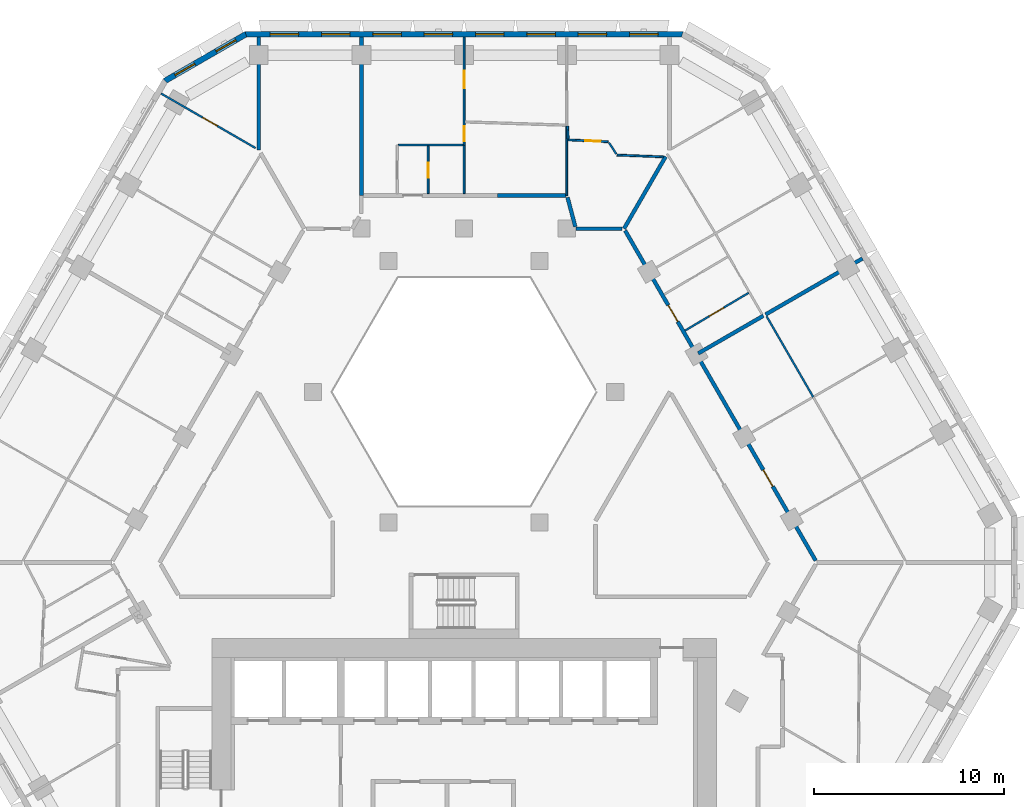
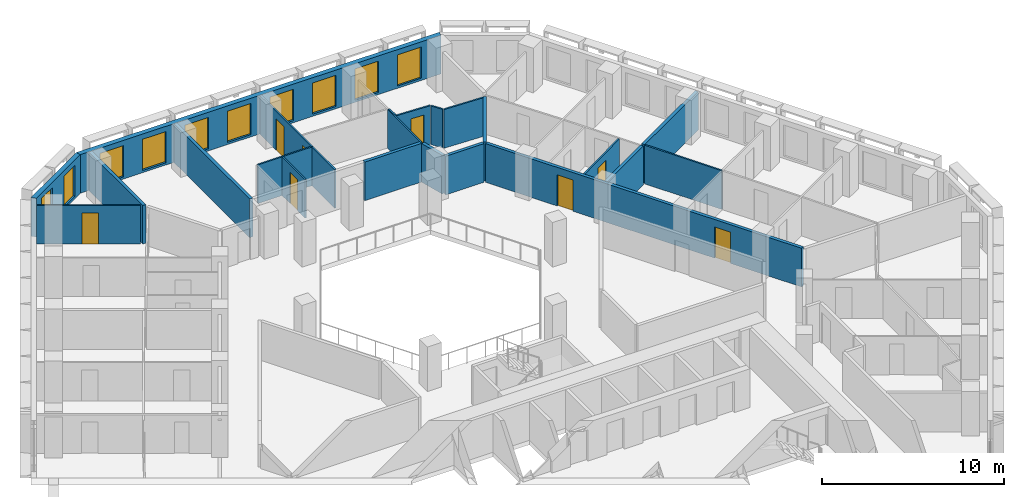
# One storey, part 9 of 18: 23 walls, 10 windows, 8 doors, 18 openings.
"""IFC4 building model written with IfcOpenShell, lengths in metres."""

from ifc_helpers import new_model, si_unit, direction, frame, frame_2d, origin, place, context, subcontext, project, spatial, polyline, rectangle, outline, extrude, material, layer, layer_set, type_object, element, fill, save


model = new_model("IFC4")

# Units and contexts
model_context = context("Model", 3, precision=1e-05, world=origin(), true_north=direction((0.0, 1.0)))
body_context = subcontext(model_context, "Body", "Model", "MODEL_VIEW")
ifc_project = project(units=[si_unit("LENGTHUNIT", "METRE"), si_unit("AREAUNIT", "SQUARE_METRE"), si_unit("VOLUMEUNIT", "CUBIC_METRE"), si_unit("PLANEANGLEUNIT", "RADIAN"), si_unit("MASSUNIT", "GRAM", prefix="KILO")], contexts=[model_context])

# Site, building, storey
site_placement = place(None, origin())
site = spatial("IfcSite", under=ifc_project, at=site_placement, CompositionType="ELEMENT")
building_placement = place(site_placement, origin())
building = spatial("IfcBuilding", under=site, at=building_placement, Name="Beryl Residences", CompositionType="ELEMENT")
storey_placement = place(building_placement, frame((0.0, 0.0, 105.0)))
storey = spatial("IfcBuildingStorey", under=building, at=storey_placement, Name="L32", CompositionType="ELEMENT", Elevation=105.0)

# Wall, openings, windows
ifc_material_1 = material(Name="Composite metal panel with mineral wool insulation")
ifc_layer_1 = layer(ifc_material_1, 0.300048828125)
ifc_layer_set_1 = layer_set([ifc_layer_1], Name="ES1 pale metal composite panel wall 300 mm")
wall_type_1 = type_object("IfcWallType", Name="ES1 pale metal composite panel wall 300 mm", PredefinedType="SOLIDWALL", material=ifc_layer_set_1)
wall_1_placement = place(storey_placement, frame((11.547119140625, 26.85009765625, 0.0), z_axis=(0.0, 0.0, 1.0), x_axis=(-1.0, 0.0, 0.0)))
wall_1 = element("IfcWall", 1, at=wall_1_placement, inside=storey, type_object=wall_type_1, Name="ES1 external wall L32 N", PredefinedType="SOLIDWALL", context=body_context, shape_type="SweptSolid", body=[
    extrude(outline(polyline([(0.0, -0.14990234375), (23.09423828125, -0.14990234375), (23.013916015625, 0.14990234375), (0.080322265625, 0.14990234375), (0.0, -0.14990234375)])), origin(), (0.0, 0.0, 1.0), 2.60009765625),
])
opening_1_placement = place(wall_1_placement, frame((1.324951171875, 0.0, 0.14990234375)))
opening_1 = element("IfcOpeningElement", 2, at=opening_1_placement, cuts=wall_1, Name="Opening W1", PredefinedType="OPENING", context=body_context, shape_type="SweptSolid", body=[
    extrude(rectangle(XDim=1.5, YDim=2.10009765625, at=frame_2d((0.75, 1.050048828125))), frame((0.0, 0.159912109375, 0.0), z_axis=(0.0, -1.0, 0.0), x_axis=(1.0, 0.0, 0.0)), (0.0, 0.0, 1.0), 0.320068359375),
])
opening_2_placement = place(wall_1_placement, frame((4.031982421875, 0.0, 0.14990234375)))
opening_2 = element("IfcOpeningElement", 3, at=opening_2_placement, cuts=wall_1, Name="Opening W1", PredefinedType="OPENING", context=body_context, shape_type="SweptSolid", body=[
    extrude(rectangle(XDim=1.5, YDim=2.10009765625, at=frame_2d((0.75, 1.050048828125))), frame((0.0, 0.159912109375, 0.0), z_axis=(0.0, -1.0, 0.0), x_axis=(1.0, 0.0, 0.0)), (0.0, 0.0, 1.0), 0.320068359375),
])
opening_3_placement = place(wall_1_placement, frame((6.738037109375, 0.0, 0.14990234375)))
opening_3 = element("IfcOpeningElement", 4, at=opening_3_placement, cuts=wall_1, Name="Opening W1", PredefinedType="OPENING", context=body_context, shape_type="SweptSolid", body=[
    extrude(rectangle(XDim=1.5, YDim=2.10009765625, at=frame_2d((0.75, 1.050048828125))), frame((0.0, 0.159912109375, 0.0), z_axis=(0.0, -1.0, 0.0), x_axis=(1.0, 0.0, 0.0)), (0.0, 0.0, 1.0), 0.320068359375),
])
opening_4_placement = place(wall_1_placement, frame((9.445068359375, 0.0, 0.14990234375)))
opening_4 = element("IfcOpeningElement", 5, at=opening_4_placement, cuts=wall_1, Name="Opening W1", PredefinedType="OPENING", context=body_context, shape_type="SweptSolid", body=[
    extrude(rectangle(XDim=1.5, YDim=2.10009765625, at=frame_2d((0.75, 1.050048828125))), frame((0.0, 0.159912109375, 0.0), z_axis=(0.0, -1.0, 0.0), x_axis=(1.0, 0.0, 0.0)), (0.0, 0.0, 1.0), 0.320068359375),
])
opening_5_placement = place(wall_1_placement, frame((12.15087890625, 0.0, 0.14990234375)))
opening_5 = element("IfcOpeningElement", 6, at=opening_5_placement, cuts=wall_1, Name="Opening W1", PredefinedType="OPENING", context=body_context, shape_type="SweptSolid", body=[
    extrude(rectangle(XDim=1.5, YDim=2.10009765625, at=frame_2d((0.75, 1.050048828125))), frame((0.0, 0.159912109375, 0.0), z_axis=(0.0, -1.0, 0.0), x_axis=(1.0, 0.0, 0.0)), (0.0, 0.0, 1.0), 0.320068359375),
])
opening_6_placement = place(wall_1_placement, frame((14.85791015625, 0.0, 0.14990234375)))
opening_6 = element("IfcOpeningElement", 7, at=opening_6_placement, cuts=wall_1, Name="Opening W1", PredefinedType="OPENING", context=body_context, shape_type="SweptSolid", body=[
    extrude(rectangle(XDim=1.5, YDim=2.10009765625, at=frame_2d((0.75, 1.050048828125))), frame((0.0, 0.159912109375, 0.0), z_axis=(0.0, -1.0, 0.0), x_axis=(1.0, 0.0, 0.0)), (0.0, 0.0, 1.0), 0.320068359375),
])
opening_7_placement = place(wall_1_placement, frame((17.56396484375, 0.0, 0.14990234375)))
opening_7 = element("IfcOpeningElement", 8, at=opening_7_placement, cuts=wall_1, Name="Opening W1", PredefinedType="OPENING", context=body_context, shape_type="SweptSolid", body=[
    extrude(rectangle(XDim=1.5, YDim=2.10009765625, at=frame_2d((0.75, 1.050048828125))), frame((0.0, 0.159912109375, 0.0), z_axis=(0.0, -1.0, 0.0), x_axis=(1.0, 0.0, 0.0)), (0.0, 0.0, 1.0), 0.320068359375),
])
opening_8_placement = place(wall_1_placement, frame((20.27099609375, 0.0, 0.14990234375)))
opening_8 = element("IfcOpeningElement", 9, at=opening_8_placement, cuts=wall_1, Name="Opening W1", PredefinedType="OPENING", context=body_context, shape_type="SweptSolid", body=[
    extrude(rectangle(XDim=1.5, YDim=2.10009765625, at=frame_2d((0.75, 1.050048828125))), frame((0.0, 0.159912109375, 0.0), z_axis=(0.0, -1.0, 0.0), x_axis=(1.0, 0.0, 0.0)), (0.0, 0.0, 1.0), 0.320068359375),
])
ifc_material_2 = material(Name="Aluminium and clear glass", Category="aluminium")
window_type_1 = type_object("IfcWindowType", Name="W1 cell window 1500 x 2100 mm", PartitioningType="SINGLE_PANEL", PredefinedType="WINDOW", material=ifc_material_2)
window_1_placement = place(opening_1_placement, origin())
window_1 = element("IfcWindow", 10, at=window_1_placement, inside=storey, type_object=window_type_1, Name="W1 window L32 N 1", OverallHeight=2.10009765625, OverallWidth=1.5, PartitioningType="SINGLE_PANEL", PredefinedType="WINDOW", context=body_context, shape_type="SweptSolid", body=[
    extrude(rectangle(XDim=1.5, YDim=2.10009765625, at=frame_2d((0.75, 1.050048828125))), frame((0.0, 0.030029296875, 0.0), z_axis=(0.0, -1.0, 0.0), x_axis=(1.0, 0.0, 0.0)), (0.0, 0.0, 1.0), 0.06005859375),
])
fill(opening_1, window_1)
window_2_placement = place(opening_2_placement, origin())
window_2 = element("IfcWindow", 11, at=window_2_placement, inside=storey, type_object=window_type_1, Name="W1 window L32 N 2", OverallHeight=2.10009765625, OverallWidth=1.5, PartitioningType="SINGLE_PANEL", PredefinedType="WINDOW", context=body_context, shape_type="SweptSolid", body=[
    extrude(rectangle(XDim=1.5, YDim=2.10009765625, at=frame_2d((0.75, 1.050048828125))), frame((0.0, 0.030029296875, 0.0), z_axis=(0.0, -1.0, 0.0), x_axis=(1.0, 0.0, 0.0)), (0.0, 0.0, 1.0), 0.06005859375),
])
fill(opening_2, window_2)
window_3_placement = place(opening_3_placement, origin())
window_3 = element("IfcWindow", 12, at=window_3_placement, inside=storey, type_object=window_type_1, Name="W1 window L32 N 3", OverallHeight=2.10009765625, OverallWidth=1.5, PartitioningType="SINGLE_PANEL", PredefinedType="WINDOW", context=body_context, shape_type="SweptSolid", body=[
    extrude(rectangle(XDim=1.5, YDim=2.10009765625, at=frame_2d((0.75, 1.050048828125))), frame((0.0, 0.030029296875, 0.0), z_axis=(0.0, -1.0, 0.0), x_axis=(1.0, 0.0, 0.0)), (0.0, 0.0, 1.0), 0.06005859375),
])
fill(opening_3, window_3)
window_4_placement = place(opening_4_placement, origin())
window_4 = element("IfcWindow", 13, at=window_4_placement, inside=storey, type_object=window_type_1, Name="W1 window L32 N 4", OverallHeight=2.10009765625, OverallWidth=1.5, PartitioningType="SINGLE_PANEL", PredefinedType="WINDOW", context=body_context, shape_type="SweptSolid", body=[
    extrude(rectangle(XDim=1.5, YDim=2.10009765625, at=frame_2d((0.75, 1.050048828125))), frame((0.0, 0.030029296875, 0.0), z_axis=(0.0, -1.0, 0.0), x_axis=(1.0, 0.0, 0.0)), (0.0, 0.0, 1.0), 0.06005859375),
])
fill(opening_4, window_4)
window_5_placement = place(opening_5_placement, origin())
window_5 = element("IfcWindow", 14, at=window_5_placement, inside=storey, type_object=window_type_1, Name="W1 window L32 N 5", OverallHeight=2.10009765625, OverallWidth=1.5, PartitioningType="SINGLE_PANEL", PredefinedType="WINDOW", context=body_context, shape_type="SweptSolid", body=[
    extrude(rectangle(XDim=1.5, YDim=2.10009765625, at=frame_2d((0.75, 1.050048828125))), frame((0.0, 0.030029296875, 0.0), z_axis=(0.0, -1.0, 0.0), x_axis=(1.0, 0.0, 0.0)), (0.0, 0.0, 1.0), 0.06005859375),
])
fill(opening_5, window_5)
window_6_placement = place(opening_6_placement, origin())
window_6 = element("IfcWindow", 15, at=window_6_placement, inside=storey, type_object=window_type_1, Name="W1 window L32 N 6", OverallHeight=2.10009765625, OverallWidth=1.5, PartitioningType="SINGLE_PANEL", PredefinedType="WINDOW", context=body_context, shape_type="SweptSolid", body=[
    extrude(rectangle(XDim=1.5, YDim=2.10009765625, at=frame_2d((0.75, 1.050048828125))), frame((0.0, 0.030029296875, 0.0), z_axis=(0.0, -1.0, 0.0), x_axis=(1.0, 0.0, 0.0)), (0.0, 0.0, 1.0), 0.06005859375),
])
fill(opening_6, window_6)
window_7_placement = place(opening_7_placement, origin())
window_7 = element("IfcWindow", 16, at=window_7_placement, inside=storey, type_object=window_type_1, Name="W1 window L32 N 7", OverallHeight=2.10009765625, OverallWidth=1.5, PartitioningType="SINGLE_PANEL", PredefinedType="WINDOW", context=body_context, shape_type="SweptSolid", body=[
    extrude(rectangle(XDim=1.5, YDim=2.10009765625, at=frame_2d((0.75, 1.050048828125))), frame((0.0, 0.030029296875, 0.0), z_axis=(0.0, -1.0, 0.0), x_axis=(1.0, 0.0, 0.0)), (0.0, 0.0, 1.0), 0.06005859375),
])
fill(opening_7, window_7)
window_8_placement = place(opening_8_placement, origin())
window_8 = element("IfcWindow", 17, at=window_8_placement, inside=storey, type_object=window_type_1, Name="W1 window L32 N 8", OverallHeight=2.10009765625, OverallWidth=1.5, PartitioningType="SINGLE_PANEL", PredefinedType="WINDOW", context=body_context, shape_type="SweptSolid", body=[
    extrude(rectangle(XDim=1.5, YDim=2.10009765625, at=frame_2d((0.75, 1.050048828125))), frame((0.0, 0.030029296875, 0.0), z_axis=(0.0, -1.0, 0.0), x_axis=(1.0, 0.0, 0.0)), (0.0, 0.0, 1.0), 0.06005859375),
])
fill(opening_8, window_8)

wall_2_placement = place(storey_placement, frame((-11.471923828125, 26.8701171875, 0.0), z_axis=(0.0, 0.0, 1.0), x_axis=(-0.866022959057, -0.500004234368, 0.0)))
wall_2 = element("IfcWall", 18, at=wall_2_placement, inside=storey, type_object=wall_type_1, Name="ES1 external wall L32 N-NW", PredefinedType="SOLIDWALL", context=body_context, shape_type="SweptSolid", body=[
    extrude(outline(polyline([(0.0, -0.14990234375), (5.0, -0.14990234375), (4.919677734375, 0.14990234375), (0.080322265625, 0.14990234375), (0.0, -0.14990234375)])), origin(), (0.0, 0.0, 1.0), 2.60009765625),
])
opening_9_placement = place(wall_2_placement, frame((0.64990234375, 0.0, 0.14990234375)))
opening_9 = element("IfcOpeningElement", 19, at=opening_9_placement, cuts=wall_2, Name="Opening W2", PredefinedType="OPENING", context=body_context, shape_type="SweptSolid", body=[
    extrude(rectangle(XDim=1.199951171875, YDim=2.10009765625, at=frame_2d((0.60009765625, 1.050048828125))), frame((0.0, 0.159912109375, 0.0), z_axis=(0.0, -1.0, 0.0), x_axis=(1.0, 0.0, 0.0)), (0.0, 0.0, 1.0), 0.320068359375),
])
opening_10_placement = place(wall_2_placement, frame((3.14892578125, 0.0, 0.14990234375)))
opening_10 = element("IfcOpeningElement", 20, at=opening_10_placement, cuts=wall_2, Name="Opening W2", PredefinedType="OPENING", context=body_context, shape_type="SweptSolid", body=[
    extrude(rectangle(XDim=1.199951171875, YDim=2.10009765625, at=frame_2d((0.60009765625, 1.050048828125))), frame((0.0, 0.159912109375, 0.0), z_axis=(0.0, -1.0, 0.0), x_axis=(1.0, 0.0, 0.0)), (0.0, 0.0, 1.0), 0.320068359375),
])
ifc_material_3 = material(Name="Aluminium and clear glass", Category="aluminium")
window_type_2 = type_object("IfcWindowType", Name="W2 chamfer window 1200 x 2100 mm", PartitioningType="SINGLE_PANEL", PredefinedType="WINDOW", material=ifc_material_3)
window_9_placement = place(opening_9_placement, origin())
window_9 = element("IfcWindow", 21, at=window_9_placement, inside=storey, type_object=window_type_2, Name="W2 window L32 N-NW 1", OverallHeight=2.10009765625, OverallWidth=1.199951171875, PartitioningType="SINGLE_PANEL", PredefinedType="WINDOW", context=body_context, shape_type="SweptSolid", body=[
    extrude(rectangle(XDim=1.199951171875, YDim=2.10009765625, at=frame_2d((0.60009765625, 1.050048828125))), frame((0.0, 0.030029296875, 0.0), z_axis=(0.0, -1.0, 0.0), x_axis=(1.0, 0.0, 0.0)), (0.0, 0.0, 1.0), 0.06005859375),
])
fill(opening_9, window_9)
window_10_placement = place(opening_10_placement, origin())
window_10 = element("IfcWindow", 22, at=window_10_placement, inside=storey, type_object=window_type_2, Name="W2 window L32 N-NW 2", OverallHeight=2.10009765625, OverallWidth=1.199951171875, PartitioningType="SINGLE_PANEL", PredefinedType="WINDOW", context=body_context, shape_type="SweptSolid", body=[
    extrude(rectangle(XDim=1.199951171875, YDim=2.10009765625, at=frame_2d((0.60009765625, 1.050048828125))), frame((0.0, 0.030029296875, 0.0), z_axis=(0.0, -1.0, 0.0), x_axis=(1.0, 0.0, 0.0)), (0.0, 0.0, 1.0), 0.06005859375),
])
fill(opening_10, window_10)

# Walls
ifc_material_4 = material(Name="Gypsum board partition on steel studs", Category="steel")
ifc_layer_2 = layer(ifc_material_4, 0.10009765625)
ifc_layer_set_2 = layer_set([ifc_layer_2], Name="PT1 partition 100 mm gypsum board on steel studs")
wall_type_2 = type_object("IfcWallType", Name="PT1 partition 100 mm gypsum board on steel studs", PredefinedType="PARTITIONING", material=ifc_layer_set_2)
wall_3_placement = place(storey_placement, frame((7.64306640625, 21.12890625, 0.0), z_axis=(0.0, 0.0, 1.0), x_axis=(0.540427628168, -0.841390503104, 0.0)))
element("IfcWall", 23, at=wall_3_placement, inside=storey, type_object=wall_type_2, Name="Wall PT1 L32 001", PredefinedType="PARTITIONING", context=body_context, shape_type="SweptSolid", body=[
    extrude(rectangle(XDim=0.710693359375, YDim=0.10009765625, at=frame_2d((0.35546875, 0.0))), origin(), (0.0, 0.0, 1.0), 2.60009765625),
])
wall_4_placement = place(storey_placement, frame((15.94189453125, 11.988037109375, 0.0), z_axis=(0.0, 0.0, 1.0), x_axis=(0.499995794706, -0.866027831699, 0.0)))
element("IfcWall", 24, at=wall_4_placement, inside=storey, type_object=wall_type_2, Name="Wall PT1 L32 004", PredefinedType="PARTITIONING", context=body_context, shape_type="SweptSolid", body=[
    extrude(rectangle(XDim=4.92236328125, YDim=0.10009765625, at=frame_2d((2.461181640625, 0.0))), origin(), (0.0, 0.0, 1.0), 2.60009765625),
])
wall_5_placement = place(storey_placement, frame((5.4541015625, 22.001953125, 0.0), z_axis=(0.0, 0.0, 1.0), x_axis=(0.048996315227, -0.998798959298, 0.0)))
element("IfcWall", 25, at=wall_5_placement, inside=storey, type_object=wall_type_2, Name="Wall PT1 L32 007", PredefinedType="PARTITIONING", context=body_context, shape_type="SweptSolid", body=[
    extrude(rectangle(XDim=0.672607421875, YDim=0.10009765625, at=frame_2d((0.33642578125, 0.0))), origin(), (0.0, 0.0, 1.0), 2.60009765625),
])
wall_6_placement = place(storey_placement, frame((-0.0009765625, 20.97998046875, 0.0), z_axis=(0.0, 0.0, 1.0), x_axis=(0.0, -1.0, 0.0)))
element("IfcWall", 26, at=wall_6_placement, inside=storey, type_object=wall_type_2, Name="Wall PT1 L32 011", PredefinedType="PARTITIONING", context=body_context, shape_type="SweptSolid", body=[
    extrude(rectangle(XDim=2.530029296875, YDim=0.10009765625, at=frame_2d((1.26513671875, 0.0))), origin(), (0.0, 0.0, 1.0), 2.60009765625),
])
wall_7_placement = place(storey_placement, frame((5.412109375, 22.0048828125, 0.0), z_axis=(0.0, 0.0, 1.0), x_axis=(0.0, -1.0, 0.0)))
element("IfcWall", 27, at=wall_7_placement, inside=storey, type_object=wall_type_2, Name="Wall PT1 L32 012", PredefinedType="PARTITIONING", context=body_context, shape_type="SweptSolid", body=[
    extrude(rectangle(XDim=3.656982421875, YDim=0.10009765625, at=frame_2d((1.82861328125, 0.0))), origin(), (0.0, 0.0, 1.0), 2.60009765625),
])
wall_8_placement = place(storey_placement, frame((8.06005859375, 20.47998046875, 0.0), z_axis=(0.0, 0.0, 1.0), x_axis=(0.999243345912, -0.038893902497, 0.0)))
element("IfcWall", 28, at=wall_8_placement, inside=storey, type_object=wall_type_2, Name="Wall PT1 L32 015", PredefinedType="PARTITIONING", context=body_context, shape_type="SweptSolid", body=[
    extrude(rectangle(XDim=2.44189453125, YDim=0.10009765625, at=frame_2d((1.220947265625, 0.0))), origin(), (0.0, 0.0, 1.0), 2.60009765625),
])

# Wall, opening, door
wall_9_placement = place(storey_placement, frame((5.489990234375, 21.280029296875, 0.0), z_axis=(0.0, 0.0, 1.0), x_axis=(0.998907627838, -0.046728482187, 0.0)))
wall_9 = element("IfcWall", 29, at=wall_9_placement, inside=storey, type_object=wall_type_2, Name="Wall PT1 L32 017", PredefinedType="PARTITIONING", context=body_context, shape_type="SweptSolid", body=[
    extrude(rectangle(XDim=2.12109375, YDim=0.10009765625, at=frame_2d((1.060546875, 0.0))), origin(), (0.0, 0.0, 1.0), 2.60009765625),
])
opening_11_placement = place(wall_9_placement, frame((0.902099609375, 0.0, 0.0)))
opening_11 = element("IfcOpeningElement", 30, at=opening_11_placement, cuts=wall_9, Name="Opening D0740", PredefinedType="OPENING", context=body_context, shape_type="SweptSolid", body=[
    extrude(rectangle(XDim=0.800048828125, YDim=2.10009765625, at=frame_2d((0.39990234375, 1.050048828125))), frame((0.0, 0.06005859375, 0.0), z_axis=(0.0, -1.0, 0.0), x_axis=(1.0, 0.0, 0.0)), (0.0, 0.0, 1.0), 0.1201171875),
])
ifc_material_5 = material(Name="Timber door leaf", Category="wood")
door_type_1 = type_object("IfcDoorType", Name="D3 bathroom door 800 x 2100 mm", OperationType="SINGLE_SWING_LEFT", PredefinedType="DOOR", material=ifc_material_5)
door_1_placement = place(opening_11_placement, origin())
door_1 = element("IfcDoor", 31, at=door_1_placement, inside=storey, type_object=door_type_1, Name="Door D0740 L32 001", OperationType="SINGLE_SWING_RIGHT", OverallHeight=2.10009765625, OverallWidth=0.800048828125, PredefinedType="DOOR", context=body_context, shape_type="SweptSolid", body=[
    extrude(rectangle(XDim=0.800048828125, YDim=2.10009765625, at=frame_2d((0.39990234375, 1.050048828125))), frame((0.0, 0.02490234375, 0.0), z_axis=(0.0, -1.0, 0.0), x_axis=(1.0, 0.0, 0.0)), (0.0, 0.0, 1.0), 0.050048828125),
])
fill(opening_11, door_1)

wall_10_placement = place(storey_placement, frame((-15.97705078125, 23.72509765625, 0.0), z_axis=(0.0, 0.0, 1.0), x_axis=(0.866028566888, -0.499994521305, 0.0)))
wall_10 = element("IfcWall", 32, at=wall_10_placement, inside=storey, type_object=wall_type_2, Name="Wall PT1 L32 026", PredefinedType="PARTITIONING", context=body_context, shape_type="SweptSolid", body=[
    extrude(rectangle(XDim=5.748046875, YDim=0.10009765625, at=frame_2d((2.8740234375, 0.0))), origin(), (0.0, 0.0, 1.0), 2.60009765625),
])
opening_12_placement = place(wall_10_placement, frame((2.52392578125, 0.0, 0.0)))
opening_12 = element("IfcOpeningElement", 33, at=opening_12_placement, cuts=wall_10, Name="Opening D0747", PredefinedType="OPENING", context=body_context, shape_type="SweptSolid", body=[
    extrude(rectangle(XDim=0.89990234375, YDim=2.10009765625, at=frame_2d((0.449951171875, 1.050048828125))), frame((0.0, 0.06005859375, 0.0), z_axis=(0.0, -1.0, 0.0), x_axis=(1.0, 0.0, 0.0)), (0.0, 0.0, 1.0), 0.1201171875),
])
ifc_material_6 = material(Name="Timber door leaf", Category="wood")
door_type_2 = type_object("IfcDoorType", Name="D2 room door 900 x 2100 mm", OperationType="SINGLE_SWING_LEFT", PredefinedType="DOOR", material=ifc_material_6)
door_2_placement = place(opening_12_placement, origin())
door_2 = element("IfcDoor", 34, at=door_2_placement, inside=storey, type_object=door_type_2, Name="Door D0747 L32 001", OperationType="SINGLE_SWING_LEFT", OverallHeight=2.10009765625, OverallWidth=0.89990234375, PredefinedType="DOOR", context=body_context, shape_type="SweptSolid", body=[
    extrude(rectangle(XDim=0.89990234375, YDim=2.10009765625, at=frame_2d((0.449951171875, 1.050048828125))), frame((0.0, 0.02490234375, 0.0), z_axis=(0.0, -1.0, 0.0), x_axis=(1.0, 0.0, 0.0)), (0.0, 0.0, 1.0), 0.050048828125),
])
fill(opening_12, door_2)

# Wall
wall_11_placement = place(storey_placement, frame((-3.468994140625, 21.010009765625, 0.0), z_axis=(0.0, 0.0, 1.0), x_axis=(1.0, 0.0, 0.0)))
element("IfcWall", 35, at=wall_11_placement, inside=storey, type_object=wall_type_2, Name="Wall PT1 L32 029", PredefinedType="PARTITIONING", context=body_context, shape_type="SweptSolid", body=[
    extrude(rectangle(XDim=3.41796875, YDim=0.10009765625, at=frame_2d((1.708984375, 0.0))), origin(), (0.0, 0.0, 1.0), 2.60009765625),
])

# Wall, openings, doors
wall_12_placement = place(storey_placement, frame((-0.0009765625, 20.989990234375, 0.0), z_axis=(0.0, 0.0, 1.0), x_axis=(0.0, 1.0, 0.0)))
wall_12 = element("IfcWall", 36, at=wall_12_placement, inside=storey, type_object=wall_type_2, Name="Wall PT1 L32 045", PredefinedType="PARTITIONING", context=body_context, shape_type="SweptSolid", body=[
    extrude(rectangle(XDim=5.7099609375, YDim=0.10009765625, at=frame_2d((2.85498046875, 0.0))), origin(), (0.0, 0.0, 1.0), 2.60009765625),
])
opening_13_placement = place(wall_12_placement, frame((3.02490234375, 0.0, 0.0)))
opening_13 = element("IfcOpeningElement", 37, at=opening_13_placement, cuts=wall_12, Name="Opening D0737", PredefinedType="OPENING", context=body_context, shape_type="SweptSolid", body=[
    extrude(rectangle(XDim=0.89990234375, YDim=2.10009765625, at=frame_2d((0.449951171875, 1.050048828125))), frame((0.0, 0.06005859375, 0.0), z_axis=(0.0, -1.0, 0.0), x_axis=(1.0, 0.0, 0.0)), (0.0, 0.0, 1.0), 0.1201171875),
])
opening_14_placement = place(wall_12_placement, frame((0.219970703125, 0.0, 0.0)))
opening_14 = element("IfcOpeningElement", 38, at=opening_14_placement, cuts=wall_12, Name="Opening D0738", PredefinedType="OPENING", context=body_context, shape_type="SweptSolid", body=[
    extrude(rectangle(XDim=0.800048828125, YDim=2.10009765625, at=frame_2d((0.39990234375, 1.050048828125))), frame((0.0, 0.06005859375, 0.0), z_axis=(0.0, -1.0, 0.0), x_axis=(1.0, 0.0, 0.0)), (0.0, 0.0, 1.0), 0.1201171875),
])
door_3_placement = place(opening_13_placement, origin())
door_3 = element("IfcDoor", 39, at=door_3_placement, inside=storey, type_object=door_type_2, Name="Door D0737 L32 001", OperationType="SINGLE_SWING_LEFT", OverallHeight=2.10009765625, OverallWidth=0.89990234375, PredefinedType="DOOR", context=body_context, shape_type="SweptSolid", body=[
    extrude(rectangle(XDim=0.89990234375, YDim=2.10009765625, at=frame_2d((0.449951171875, 1.050048828125))), frame((0.0, 0.02490234375, 0.0), z_axis=(0.0, -1.0, 0.0), x_axis=(1.0, 0.0, 0.0)), (0.0, 0.0, 1.0), 0.050048828125),
])
fill(opening_13, door_3)
door_4_placement = place(opening_14_placement, origin())
door_4 = element("IfcDoor", 40, at=door_4_placement, inside=storey, type_object=door_type_1, Name="Door D0738 L32 001", OperationType="SINGLE_SWING_RIGHT", OverallHeight=2.10009765625, OverallWidth=0.800048828125, PredefinedType="DOOR", context=body_context, shape_type="SweptSolid", body=[
    extrude(rectangle(XDim=0.800048828125, YDim=2.10009765625, at=frame_2d((0.39990234375, 1.050048828125))), frame((0.0, 0.02490234375, 0.0), z_axis=(0.0, -1.0, 0.0), x_axis=(1.0, 0.0, 0.0)), (0.0, 0.0, 1.0), 0.050048828125),
])
fill(opening_14, door_4)

# Wall, opening, door
wall_13_placement = place(storey_placement, frame((-1.89599609375, 18.449951171875, 0.0), z_axis=(0.0, 0.0, 1.0), x_axis=(0.0, 1.0, 0.0)))
wall_13 = element("IfcWall", 41, at=wall_13_placement, inside=storey, type_object=wall_type_2, Name="Wall PT1 L32 049", PredefinedType="PARTITIONING", context=body_context, shape_type="SweptSolid", body=[
    extrude(rectangle(XDim=2.510009765625, YDim=0.10009765625, at=frame_2d((1.2548828125, 0.0))), origin(), (0.0, 0.0, 1.0), 2.60009765625),
])
opening_15_placement = place(wall_13_placement, frame((0.830078125, 0.0, 0.0)))
opening_15 = element("IfcOpeningElement", 42, at=opening_15_placement, cuts=wall_13, Name="Opening D0736", PredefinedType="OPENING", context=body_context, shape_type="SweptSolid", body=[
    extrude(rectangle(XDim=0.800048828125, YDim=2.10009765625, at=frame_2d((0.39990234375, 1.050048828125))), frame((0.0, 0.06005859375, 0.0), z_axis=(0.0, -1.0, 0.0), x_axis=(1.0, 0.0, 0.0)), (0.0, 0.0, 1.0), 0.1201171875),
])
door_5_placement = place(opening_15_placement, origin())
door_5 = element("IfcDoor", 43, at=door_5_placement, inside=storey, type_object=door_type_1, Name="Door D0736 L32 001", OperationType="SINGLE_SWING_RIGHT", OverallHeight=2.10009765625, OverallWidth=0.800048828125, PredefinedType="DOOR", context=body_context, shape_type="SweptSolid", body=[
    extrude(rectangle(XDim=0.800048828125, YDim=2.10009765625, at=frame_2d((0.39990234375, 1.050048828125))), frame((0.0, 0.02490234375, 0.0), z_axis=(0.0, -1.0, 0.0), x_axis=(1.0, 0.0, 0.0)), (0.0, 0.0, 1.0), 0.050048828125),
])
fill(opening_15, door_5)

wall_14_placement = place(storey_placement, frame((11.64697265625, 11.22705078125, 0.0), z_axis=(0.0, 0.0, 1.0), x_axis=(0.859997349349, 0.510298500011, 0.0)))
wall_14 = element("IfcWall", 44, at=wall_14_placement, inside=storey, type_object=wall_type_2, Name="Wall PT1 L32 059", PredefinedType="PARTITIONING", context=body_context, shape_type="SweptSolid", body=[
    extrude(rectangle(XDim=3.897705078125, YDim=0.10009765625, at=frame_2d((1.94873046875, 0.0))), origin(), (0.0, 0.0, 1.0), 2.60009765625),
])
opening_16_placement = place(wall_14_placement, frame((1.472900390625, 0.0, 0.0)))
opening_16 = element("IfcOpeningElement", 45, at=opening_16_placement, cuts=wall_14, Name="Opening D0729", PredefinedType="OPENING", context=body_context, shape_type="SweptSolid", body=[
    extrude(rectangle(XDim=0.89990234375, YDim=2.10009765625, at=frame_2d((0.449951171875, 1.050048828125))), frame((0.0, 0.06005859375, 0.0), z_axis=(0.0, -1.0, 0.0), x_axis=(1.0, 0.0, 0.0)), (0.0, 0.0, 1.0), 0.1201171875),
])
door_6_placement = place(opening_16_placement, origin())
door_6 = element("IfcDoor", 46, at=door_6_placement, inside=storey, type_object=door_type_2, Name="Door D0729 L32 001", OperationType="SINGLE_SWING_LEFT", OverallHeight=2.10009765625, OverallWidth=0.89990234375, PredefinedType="DOOR", context=body_context, shape_type="SweptSolid", body=[
    extrude(rectangle(XDim=0.89990234375, YDim=2.10009765625, at=frame_2d((0.449951171875, 1.050048828125))), frame((0.0, 0.02490234375, 0.0), z_axis=(0.0, -1.0, 0.0), x_axis=(1.0, 0.0, 0.0)), (0.0, 0.0, 1.0), 0.050048828125),
])
fill(opening_16, door_6)

# Walls
ifc_material_7 = material(Name="Acoustic double stud gypsum board wall")
ifc_layer_3 = layer(ifc_material_7, 0.199951171875)
ifc_layer_set_3 = layer_set([ifc_layer_3], Name="PT3 party wall 200 mm acoustic double stud")
wall_type_3 = type_object("IfcWallType", Name="PT3 party wall 200 mm acoustic double stud", PredefinedType="PARTITIONING", material=ifc_layer_set_3)
wall_15_placement = place(storey_placement, frame((-5.4140625, 26.699951171875, 0.0), z_axis=(0.0, 0.0, 1.0), x_axis=(0.0, -1.0, 0.0)))
element("IfcWall", 47, at=wall_15_placement, inside=storey, type_object=wall_type_3, Name="Wall PT3 L32 002", PredefinedType="PARTITIONING", context=body_context, shape_type="SweptSolid", body=[
    extrude(rectangle(XDim=8.349853515625, YDim=0.199951171875, at=frame_2d((4.1748046875, 0.0))), origin(), (0.0, 0.0, 1.0), 2.60009765625),
])
wall_16_placement = place(storey_placement, frame((8.429931640625, 16.60009765625, 0.0), z_axis=(0.0, 0.0, 1.0), x_axis=(0.500072613115, 0.865983476524, 0.0)))
element("IfcWall", 48, at=wall_16_placement, inside=storey, type_object=wall_type_3, Name="Wall PT3 L32 012", PredefinedType="PARTITIONING", context=body_context, shape_type="SweptSolid", body=[
    extrude(rectangle(XDim=4.385498046875, YDim=0.199951171875, at=frame_2d((2.19287109375, 0.0))), origin(), (0.0, 0.0, 1.0), 2.60009765625),
])
wall_17_placement = place(storey_placement, frame((-10.826904296875, 20.7529296875, 0.0), z_axis=(0.0, 0.0, 1.0), x_axis=(0.0, 1.0, 0.0)))
element("IfcWall", 49, at=wall_17_placement, inside=storey, type_object=wall_type_3, Name="Wall PT3 L32 015", PredefinedType="PARTITIONING", context=body_context, shape_type="SweptSolid", body=[
    extrude(rectangle(XDim=5.947021484375, YDim=0.199951171875, at=frame_2d((2.9736328125, 0.0))), origin(), (0.0, 0.0, 1.0), 2.60009765625),
])
wall_18_placement = place(storey_placement, frame((12.342041015625, 10.02490234375, 0.0), z_axis=(0.0, 0.0, 1.0), x_axis=(0.866033886885, 0.499985306551, 0.0)))
element("IfcWall", 50, at=wall_18_placement, inside=storey, type_object=wall_type_3, Name="Wall PT3 L32 019", PredefinedType="PARTITIONING", context=body_context, shape_type="SweptSolid", body=[
    extrude(rectangle(XDim=3.96630859375, YDim=0.199951171875, at=frame_2d((1.983154296875, 0.0))), origin(), (0.0, 0.0, 1.0), 2.60009765625),
])
wall_19_placement = place(storey_placement, frame((15.89208984375, 12.074951171875, 0.0), z_axis=(0.0, 0.0, 1.0), x_axis=(0.866000883696, 0.500042467634, 0.0)))
element("IfcWall", 51, at=wall_19_placement, inside=storey, type_object=wall_type_3, Name="Wall PT3 L32 020", PredefinedType="PARTITIONING", context=body_context, shape_type="SweptSolid", body=[
    extrude(rectangle(XDim=5.8994140625, YDim=0.199951171875, at=frame_2d((2.94970703125, 0.0))), origin(), (0.0, 0.0, 1.0), 2.60009765625),
])
ifc_material_8 = material(Name="Double stud gypsum board wall")
ifc_layer_4 = layer(ifc_material_8, 0.199951171875)
ifc_layer_set_4 = layer_set([ifc_layer_4], Name="PT4 corridor wall 200 mm double stud")
wall_type_4 = type_object("IfcWallType", Name="PT4 corridor wall 200 mm double stud", PredefinedType="PARTITIONING", material=ifc_layer_set_4)
wall_20_placement = place(storey_placement, frame((5.452880859375, 18.248046875, 0.0), z_axis=(0.0, 0.0, 1.0), x_axis=(0.255687088482, -0.9667595941, 0.0)))
element("IfcWall", 52, at=wall_20_placement, inside=storey, type_object=wall_type_4, Name="Wall PT4 L32 005", PredefinedType="PARTITIONING", context=body_context, shape_type="SweptSolid", body=[
    extrude(rectangle(XDim=1.600341796875, YDim=0.199951171875, at=frame_2d((0.80029296875, 0.0))), origin(), (0.0, 0.0, 1.0), 2.60009765625),
])

# Wall, openings, doors
wall_21_placement = place(storey_placement, frame((8.488037109375, 16.5, 0.0), z_axis=(0.0, 0.0, 1.0), x_axis=(0.499986836607, -0.86603300354, 0.0)))
wall_21 = element("IfcWall", 53, at=wall_21_placement, inside=storey, type_object=wall_type_4, Name="Wall PT4 L32 007", PredefinedType="PARTITIONING", context=body_context, shape_type="SweptSolid", body=[
    extrude(rectangle(XDim=20.09033203125, YDim=0.199951171875, at=frame_2d((10.045166015625, 0.0))), origin(), (0.0, 0.0, 1.0), 2.60009765625),
])
opening_17_placement = place(wall_21_placement, frame((14.569091796875, 0.0, 0.0)))
opening_17 = element("IfcOpeningElement", 54, at=opening_17_placement, cuts=wall_21, Name="Opening D0721", PredefinedType="OPENING", context=body_context, shape_type="SweptSolid", body=[
    extrude(rectangle(XDim=1.0, YDim=2.10009765625, at=frame_2d((0.5, 1.050048828125))), frame((0.0, 0.10986328125, 0.0), z_axis=(0.0, -1.0, 0.0), x_axis=(1.0, 0.0, 0.0)), (0.0, 0.0, 1.0), 0.219970703125),
])
opening_18_placement = place(wall_21_placement, frame((4.547119140625, 0.0, 0.0)))
opening_18 = element("IfcOpeningElement", 55, at=opening_18_placement, cuts=wall_21, Name="Opening D0727", PredefinedType="OPENING", context=body_context, shape_type="SweptSolid", body=[
    extrude(rectangle(XDim=1.0, YDim=2.10009765625, at=frame_2d((0.5, 1.050048828125))), frame((0.0, 0.10986328125, 0.0), z_axis=(0.0, -1.0, 0.0), x_axis=(1.0, 0.0, 0.0)), (0.0, 0.0, 1.0), 0.219970703125),
])
ifc_material_9 = material(Name="Timber door leaf", Category="wood")
door_type_3 = type_object("IfcDoorType", Name="D1 flat entrance door 1000 x 2100 mm", OperationType="SINGLE_SWING_LEFT", PredefinedType="DOOR", material=ifc_material_9)
door_7_placement = place(opening_17_placement, origin())
door_7 = element("IfcDoor", 56, at=door_7_placement, inside=storey, type_object=door_type_3, Name="Door D0721 L32 001", OperationType="SINGLE_SWING_LEFT", OverallHeight=2.10009765625, OverallWidth=1.0, PredefinedType="DOOR", context=body_context, shape_type="SweptSolid", body=[
    extrude(rectangle(XDim=1.0, YDim=2.10009765625, at=frame_2d((0.5, 1.050048828125))), frame((0.0, 0.02490234375, 0.0), z_axis=(0.0, -1.0, 0.0), x_axis=(1.0, 0.0, 0.0)), (0.0, 0.0, 1.0), 0.050048828125),
])
fill(opening_17, door_7)
door_8_placement = place(opening_18_placement, origin())
door_8 = element("IfcDoor", 57, at=door_8_placement, inside=storey, type_object=door_type_3, Name="Door D0727 L32 001", OperationType="SINGLE_SWING_LEFT", OverallHeight=2.10009765625, OverallWidth=1.0, PredefinedType="DOOR", context=body_context, shape_type="SweptSolid", body=[
    extrude(rectangle(XDim=1.0, YDim=2.10009765625, at=frame_2d((0.5, 1.050048828125))), frame((0.0, 0.02490234375, 0.0), z_axis=(0.0, -1.0, 0.0), x_axis=(1.0, 0.0, 0.0)), (0.0, 0.0, 1.0), 0.050048828125),
])
fill(opening_18, door_8)

# Walls
wall_22_placement = place(storey_placement, frame((5.888916015625, 16.60009765625, 0.0), z_axis=(0.0, 0.0, 1.0), x_axis=(1.0, 0.0, 0.0)))
element("IfcWall", 58, at=wall_22_placement, inside=storey, type_object=wall_type_4, Name="Wall PT4 L32 020", PredefinedType="PARTITIONING", context=body_context, shape_type="SweptSolid", body=[
    extrude(rectangle(XDim=2.426025390625, YDim=0.199951171875, at=frame_2d((1.212890625, 0.0))), origin(), (0.0, 0.0, 1.0), 2.60009765625),
])
wall_23_placement = place(storey_placement, frame((1.75, 18.347900390625, 0.0), z_axis=(0.0, 0.0, 1.0), x_axis=(1.0, 0.0, 0.0)))
element("IfcWall", 59, at=wall_23_placement, inside=storey, type_object=wall_type_4, Name="Wall PT4 L32 021", PredefinedType="PARTITIONING", context=body_context, shape_type="SweptSolid", body=[
    extrude(rectangle(XDim=3.612060546875, YDim=0.199951171875, at=frame_2d((1.80615234375, 0.0))), origin(), (0.0, 0.0, 1.0), 2.60009765625),
])

save(model, "model.ifc")
